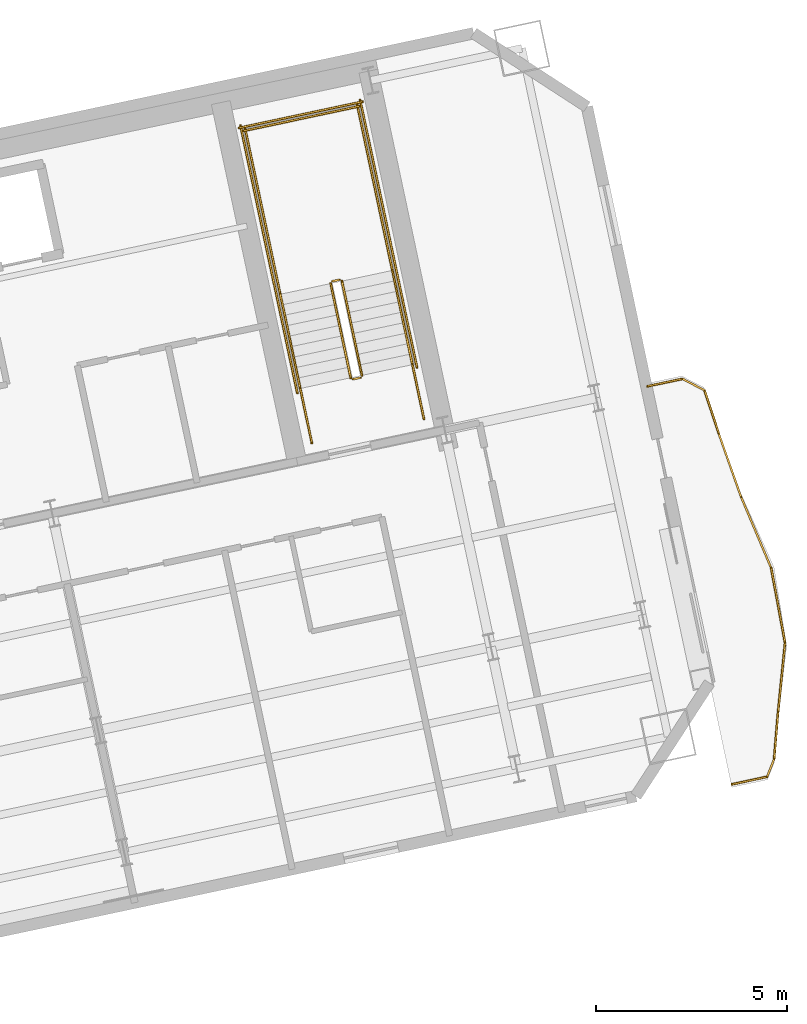
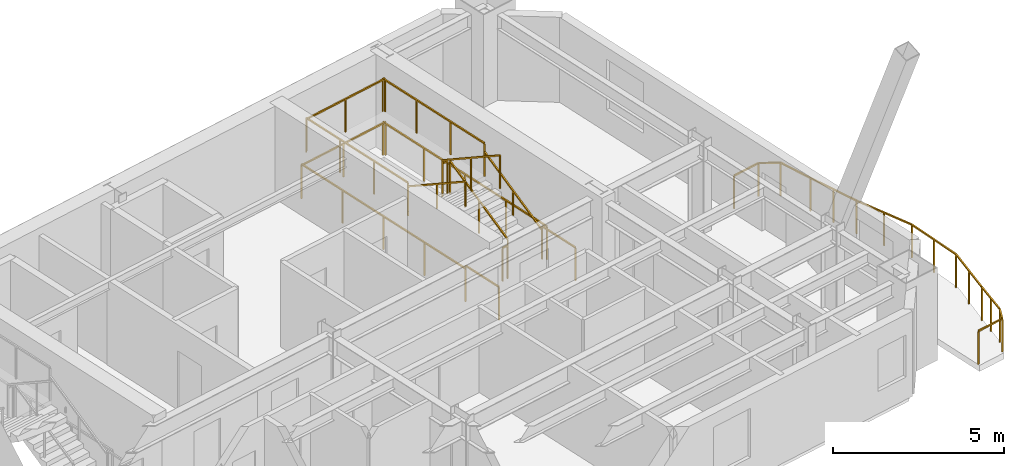
# One storey, part 13 of 13: 24 railings.
"""IFC4 building model written with IfcOpenShell, lengths in metres."""

from ifc_helpers import new_model, si_unit, direction, frame, origin, origin_2d, place, context, subcontext, project, spatial, rectangle, extrude, material, type_object, element, save


model = new_model("IFC4")

# Units and contexts
model_context = context("Model", 3, precision=1e-05, world=origin(), true_north=direction((0.0, 1.0)))
body_context = subcontext(model_context, "Body", "Model", "MODEL_VIEW")
ifc_project = project(units=[si_unit("LENGTHUNIT", "METRE"), si_unit("AREAUNIT", "SQUARE_METRE"), si_unit("VOLUMEUNIT", "CUBIC_METRE"), si_unit("PLANEANGLEUNIT", "RADIAN"), si_unit("MASSUNIT", "GRAM", prefix="KILO")], contexts=[model_context])

# Site, building, storey
site_placement = place(None, origin())
site = spatial("IfcSite", under=ifc_project, at=site_placement, CompositionType="ELEMENT")
building_placement = place(site_placement, origin())
building = spatial("IfcBuilding", under=site, at=building_placement, Name="Haevon Station Towers", CompositionType="ELEMENT")
storey_placement = place(building_placement, frame((0.0, 0.0, 165.89990234375)))
storey = spatial("IfcBuildingStorey", under=building, at=storey_placement, Name="L45", CompositionType="ELEMENT", Elevation=165.89990234375)

# Railings
ifc_material = material(Name="Steel S355", Category="steel")
railing_type_1 = type_object("IfcRailingType", Name="GRD-EXT1200", PredefinedType="GUARDRAIL", material=ifc_material)
railing_1_placement = place(storey_placement, frame((126.807861328125, 32.541259765625, 0.0)))
element("IfcRailing", 1, at=railing_1_placement, inside=storey, type_object=railing_type_1, Name="L45 Perimeter Guardrail 1", PredefinedType="GUARDRAIL", context=body_context, shape_type="SweptSolid", body=[
    extrude(rectangle(XDim=0.048095703125, YDim=0.048095703125, at=origin_2d()), frame((0.0, 0.0, 1.17578125), z_axis=(0.977684892297, 0.210076774952, 0.0), x_axis=(-0.210076774952, 0.977684892297, 0.0)), (0.0, 0.0, 1.0), 0.943603515625),
    extrude(rectangle(XDim=0.0419921875, YDim=0.0419921875, at=origin_2d()), origin(), (0.0, 0.0, 1.0), 1.15185546875),
    extrude(rectangle(XDim=0.0419921875, YDim=0.0419921875, at=origin_2d()), frame((0.922607421875, 0.1982421875, 0.0)), (0.0, 0.0, 1.0), 1.15185546875),
])
railing_2_placement = place(storey_placement, frame((127.73046875, 32.739501953125, 0.0)))
element("IfcRailing", 2, at=railing_2_placement, inside=storey, type_object=railing_type_1, Name="L45 Perimeter Guardrail 2", PredefinedType="GUARDRAIL", context=body_context, shape_type="SweptSolid", body=[
    extrude(rectangle(XDim=0.048095703125, YDim=0.048095703125, at=origin_2d()), frame((0.0, 0.0, 1.17578125), z_axis=(0.3657443694, 0.930715346522, 0.0), x_axis=(-0.930715346522, 0.3657443694, 0.0)), (0.0, 0.0, 1.0), 0.49267578125),
    extrude(rectangle(XDim=0.0419921875, YDim=0.0419921875, at=origin_2d()), origin(), (0.0, 0.0, 1.0), 1.15185546875),
    extrude(rectangle(XDim=0.0419921875, YDim=0.0419921875, at=origin_2d()), frame((0.18017578125, 0.45849609375, 0.0)), (0.0, 0.0, 1.0), 1.15185546875),
])
railing_3_placement = place(storey_placement, frame((127.91064453125, 33.197998046875, 0.0)))
element("IfcRailing", 3, at=railing_3_placement, inside=storey, type_object=railing_type_1, Name="L45 Perimeter Guardrail 3", PredefinedType="GUARDRAIL", context=body_context, shape_type="SweptSolid", body=[
    extrude(rectangle(XDim=0.048095703125, YDim=0.048095703125, at=origin_2d()), frame((0.0, 0.0, 1.17578125), z_axis=(0.084251569955, 0.996444515746, 0.0), x_axis=(-0.996444515746, 0.084251569955, 0.0)), (0.0, 0.0, 1.0), 1.222900390625),
    extrude(rectangle(XDim=0.0419921875, YDim=0.0419921875, at=origin_2d()), origin(), (0.0, 0.0, 1.0), 1.15185546875),
    extrude(rectangle(XDim=0.0419921875, YDim=0.0419921875, at=origin_2d()), frame((0.051513671875, 0.609375, 0.0)), (0.0, 0.0, 1.0), 1.15185546875),
    extrude(rectangle(XDim=0.0419921875, YDim=0.0419921875, at=origin_2d()), frame((0.10302734375, 1.218505859375, 0.0)), (0.0, 0.0, 1.0), 1.15185546875),
])
railing_4_placement = place(storey_placement, frame((128.013671875, 34.41650390625, 0.0)))
element("IfcRailing", 4, at=railing_4_placement, inside=storey, type_object=railing_type_1, Name="L45 Perimeter Guardrail 4", PredefinedType="GUARDRAIL", context=body_context, shape_type="SweptSolid", body=[
    extrude(rectangle(XDim=0.048095703125, YDim=0.048095703125, at=origin_2d()), frame((0.0, 0.0, 1.17578125), z_axis=(0.100440099448, 0.994943107129, 0.0), x_axis=(-0.994943107129, 0.100440099448, 0.0)), (0.0, 0.0, 1.0), 1.832763671875),
    extrude(rectangle(XDim=0.0419921875, YDim=0.0419921875, at=origin_2d()), origin(), (0.0, 0.0, 1.0), 1.15185546875),
    extrude(rectangle(XDim=0.0419921875, YDim=0.0419921875, at=origin_2d()), frame((0.092041015625, 0.91162109375, 0.0)), (0.0, 0.0, 1.0), 1.15185546875),
    extrude(rectangle(XDim=0.0419921875, YDim=0.0419921875, at=origin_2d()), frame((0.18408203125, 1.823486328125, 0.0)), (0.0, 0.0, 1.0), 1.15185546875),
])
railing_5_placement = place(storey_placement, frame((128.19775390625, 36.239990234375, 0.0)))
element("IfcRailing", 5, at=railing_5_placement, inside=storey, type_object=railing_type_1, Name="L45 Perimeter Guardrail 5", PredefinedType="GUARDRAIL", context=body_context, shape_type="SweptSolid", body=[
    extrude(rectangle(XDim=0.048095703125, YDim=0.048095703125, at=origin_2d()), frame((0.0, 0.0, 1.17578125), z_axis=(-0.182084875325, 0.983282816985, 0.0), x_axis=(-0.983282816985, -0.182084875325, 0.0)), (0.0, 0.0, 1.0), 1.993896484375),
    extrude(rectangle(XDim=0.0419921875, YDim=0.0419921875, at=origin_2d()), origin(), (0.0, 0.0, 1.0), 1.15185546875),
    extrude(rectangle(XDim=0.0419921875, YDim=0.0419921875, at=origin_2d()), frame((-0.181640625, 0.980224609375, 0.0)), (0.0, 0.0, 1.0), 1.15185546875),
    extrude(rectangle(XDim=0.0419921875, YDim=0.0419921875, at=origin_2d()), frame((-0.363037109375, 1.96044921875, 0.0)), (0.0, 0.0, 1.0), 1.15185546875),
])
railing_6_placement = place(storey_placement, frame((127.834716796875, 38.200439453125, 0.0)))
element("IfcRailing", 6, at=railing_6_placement, inside=storey, type_object=railing_type_1, Name="L45 Perimeter Guardrail 6", PredefinedType="GUARDRAIL", context=body_context, shape_type="SweptSolid", body=[
    extrude(rectangle(XDim=0.048095703125, YDim=0.048095703125, at=origin_2d()), frame((0.0, 0.0, 1.17578125), z_axis=(-0.389683229783, 0.920948956472, 0.0), x_axis=(-0.920948956472, -0.389683229783, 0.0)), (0.0, 0.0, 1.0), 2.026123046875),
    extrude(rectangle(XDim=0.0419921875, YDim=0.0419921875, at=origin_2d()), origin(), (0.0, 0.0, 1.0), 1.15185546875),
    extrude(rectangle(XDim=0.0419921875, YDim=0.0419921875, at=origin_2d()), frame((-0.394775390625, 0.93310546875, 0.0)), (0.0, 0.0, 1.0), 1.15185546875),
    extrude(rectangle(XDim=0.0419921875, YDim=0.0419921875, at=origin_2d()), frame((-0.78955078125, 1.865966796875, 0.0)), (0.0, 0.0, 1.0), 1.15185546875),
])
railing_7_placement = place(storey_placement, frame((127.045166015625, 40.06640625, 0.0)))
element("IfcRailing", 7, at=railing_7_placement, inside=storey, type_object=railing_type_1, Name="L45 Perimeter Guardrail 7", PredefinedType="GUARDRAIL", context=body_context, shape_type="SweptSolid", body=[
    extrude(rectangle(XDim=0.048095703125, YDim=0.048095703125, at=origin_2d()), frame((0.0, 0.0, 1.17578125), z_axis=(-0.332291601208, 0.943176702303, 0.0), x_axis=(-0.943176702303, -0.332291601208, 0.0)), (0.0, 0.0, 1.0), 1.76416015625),
    extrude(rectangle(XDim=0.0419921875, YDim=0.0419921875, at=origin_2d()), origin(), (0.0, 0.0, 1.0), 1.15185546875),
    extrude(rectangle(XDim=0.0419921875, YDim=0.0419921875, at=origin_2d()), frame((-0.29296875, 0.83203125, 0.0)), (0.0, 0.0, 1.0), 1.15185546875),
    extrude(rectangle(XDim=0.0419921875, YDim=0.0419921875, at=origin_2d()), frame((-0.586181640625, 1.663818359375, 0.0)), (0.0, 0.0, 1.0), 1.15185546875),
])
railing_8_placement = place(storey_placement, frame((126.458984375, 41.730224609375, 0.0)))
element("IfcRailing", 8, at=railing_8_placement, inside=storey, type_object=railing_type_1, Name="L45 Perimeter Guardrail 8", PredefinedType="GUARDRAIL", context=body_context, shape_type="SweptSolid", body=[
    extrude(rectangle(XDim=0.048095703125, YDim=0.048095703125, at=origin_2d()), frame((0.0, 0.0, 1.17578125), z_axis=(-0.312492822926, 0.949920120652, 0.0), x_axis=(-0.949920120652, -0.312492822926, 0.0)), (0.0, 0.0, 1.0), 1.177490234375),
    extrude(rectangle(XDim=0.0419921875, YDim=0.0419921875, at=origin_2d()), origin(), (0.0, 0.0, 1.0), 1.15185546875),
    extrude(rectangle(XDim=0.0419921875, YDim=0.0419921875, at=origin_2d()), frame((-0.367919921875, 1.118408203125, 0.0)), (0.0, 0.0, 1.0), 1.15185546875),
])
railing_9_placement = place(storey_placement, frame((126.091064453125, 42.8486328125, 0.0)))
element("IfcRailing", 9, at=railing_9_placement, inside=storey, type_object=railing_type_1, Name="L45 Perimeter Guardrail 9", PredefinedType="GUARDRAIL", context=body_context, shape_type="SweptSolid", body=[
    extrude(rectangle(XDim=0.048095703125, YDim=0.048095703125, at=origin_2d()), frame((0.0, 0.0, 1.17578125), z_axis=(-0.886739807276, 0.462268876513, 0.0), x_axis=(-0.462268876513, -0.886739807276, 0.0)), (0.0, 0.0, 1.0), 0.64599609375),
    extrude(rectangle(XDim=0.0419921875, YDim=0.0419921875, at=origin_2d()), origin(), (0.0, 0.0, 1.0), 1.15185546875),
    extrude(rectangle(XDim=0.0419921875, YDim=0.0419921875, at=origin_2d()), frame((-0.57275390625, 0.298583984375, 0.0)), (0.0, 0.0, 1.0), 1.15185546875),
])
railing_10_placement = place(storey_placement, frame((125.518310546875, 43.147216796875, 0.0)))
element("IfcRailing", 10, at=railing_10_placement, inside=storey, type_object=railing_type_1, Name="L45 Perimeter Guardrail 10", PredefinedType="GUARDRAIL", context=body_context, shape_type="SweptSolid", body=[
    extrude(rectangle(XDim=0.048095703125, YDim=0.048095703125, at=origin_2d()), frame((0.0, 0.0, 1.17578125), z_axis=(-0.978571736022, -0.205906186062, 0.0), x_axis=(0.205906186062, -0.978571736022, 0.0)), (0.0, 0.0, 1.0), 0.94384765625),
    extrude(rectangle(XDim=0.0419921875, YDim=0.0419921875, at=origin_2d()), origin(), (0.0, 0.0, 1.0), 1.15185546875),
    extrude(rectangle(XDim=0.0419921875, YDim=0.0419921875, at=origin_2d()), frame((-0.923583984375, -0.1943359375, 0.0)), (0.0, 0.0, 1.0), 1.15185546875),
])
railing_type_2 = type_object("IfcRailingType", Name="GRD-STR1200", PredefinedType="GUARDRAIL", material=ifc_material)
railing_11_placement = place(storey_placement, frame((117.128662109375, 43.23974609375, 0.1650390625)))
element("IfcRailing", 11, at=railing_11_placement, inside=storey, type_object=railing_type_2, Name="L45 ST4 Stair Guard 1", PredefinedType="GUARDRAIL", context=body_context, shape_type="SweptSolid", body=[
    extrude(rectangle(XDim=0.048095703125, YDim=0.048095703125, at=origin_2d()), frame((0.0, 0.0, 1.17578125), z_axis=(-0.179121265225, 0.842687928106, 0.507732831485), x_axis=(-0.978147030254, -0.207914374695, 0.0)), (0.0, 0.0, 1.0), 2.925048828125),
    extrude(rectangle(XDim=0.0419921875, YDim=0.0419921875, at=origin_2d()), origin(), (0.0, 0.0, 1.0), 1.15185546875),
    extrude(rectangle(XDim=0.0419921875, YDim=0.0419921875, at=origin_2d()), frame((-0.261962890625, 1.232421875, 0.74267578125)), (0.0, 0.0, 1.0), 1.15185546875),
    extrude(rectangle(XDim=0.0419921875, YDim=0.0419921875, at=origin_2d()), frame((-0.52392578125, 2.46484375, 1.485107421875)), (0.0, 0.0, 1.0), 1.15185546875),
])
railing_12_placement = place(storey_placement, frame((116.54541015625, 45.7431640625, 1.650146484375)))
element("IfcRailing", 12, at=railing_12_placement, inside=storey, type_object=railing_type_2, Name="L45 ST4 Stair Guard 2", PredefinedType="GUARDRAIL", context=body_context, shape_type="SweptSolid", body=[
    extrude(rectangle(XDim=0.048095703125, YDim=0.048095703125, at=origin_2d()), frame((0.0, 0.0, 1.17578125), z_axis=(-0.97826412705, -0.207362720198, 0.0), x_axis=(0.207362720198, -0.97826412705, 0.0)), (0.0, 0.0, 1.0), 0.2001953125),
    extrude(rectangle(XDim=0.0419921875, YDim=0.0419921875, at=origin_2d()), origin(), (0.0, 0.0, 1.0), 1.15185546875),
    extrude(rectangle(XDim=0.0419921875, YDim=0.0419921875, at=origin_2d()), frame((-0.19580078125, -0.04150390625, 0.0)), (0.0, 0.0, 1.0), 1.15185546875),
])
railing_13_placement = place(storey_placement, frame((117.925048828125, 45.9853515625, 1.650146484375)))
element("IfcRailing", 13, at=railing_13_placement, inside=storey, type_object=railing_type_2, Name="L45 ST4 Stair Guard 3", PredefinedType="GUARDRAIL", context=body_context, shape_type="SweptSolid", body=[
    extrude(rectangle(XDim=0.048095703125, YDim=0.048095703125, at=origin_2d()), frame((0.0, 0.0, 1.17578125), z_axis=(-0.207876551949, 0.978155069071, 0.0), x_axis=(-0.978155069071, -0.207876551949, 0.0)), (0.0, 0.0, 1.0), 4.429931640625),
    extrude(rectangle(XDim=0.0419921875, YDim=0.0419921875, at=origin_2d()), origin(), (0.0, 0.0, 1.0), 1.15185546875),
    extrude(rectangle(XDim=0.0419921875, YDim=0.0419921875, at=origin_2d()), frame((-0.306884765625, 1.4443359375, 0.0)), (0.0, 0.0, 1.0), 1.15185546875),
    extrude(rectangle(XDim=0.0419921875, YDim=0.0419921875, at=origin_2d()), frame((-0.614013671875, 2.888916015625, 0.0)), (0.0, 0.0, 1.0), 1.15185546875),
    extrude(rectangle(XDim=0.0419921875, YDim=0.0419921875, at=origin_2d()), frame((-0.9208984375, 4.333251953125, 0.0)), (0.0, 0.0, 1.0), 1.15185546875),
])
railing_14_placement = place(storey_placement, frame((114.99072265625, 45.361572265625, 1.650146484375)))
element("IfcRailing", 14, at=railing_14_placement, inside=storey, type_object=railing_type_2, Name="L45 ST4 Stair Guard 4", PredefinedType="GUARDRAIL", context=body_context, shape_type="SweptSolid", body=[
    extrude(rectangle(XDim=0.048095703125, YDim=0.048095703125, at=origin_2d()), frame((0.0, 0.0, 1.17578125), z_axis=(-0.207929280007, 0.978143861871, 0.0), x_axis=(-0.978143861871, -0.207929280007, 0.0)), (0.0, 0.0, 1.0), 4.43017578125),
    extrude(rectangle(XDim=0.0419921875, YDim=0.0419921875, at=origin_2d()), origin(), (0.0, 0.0, 1.0), 1.15185546875),
    extrude(rectangle(XDim=0.0419921875, YDim=0.0419921875, at=origin_2d()), frame((-0.30712890625, 1.4443359375, 0.0)), (0.0, 0.0, 1.0), 1.15185546875),
    extrude(rectangle(XDim=0.0419921875, YDim=0.0419921875, at=origin_2d()), frame((-0.614013671875, 2.888916015625, 0.0)), (0.0, 0.0, 1.0), 1.15185546875),
    extrude(rectangle(XDim=0.0419921875, YDim=0.0419921875, at=origin_2d()), frame((-0.921142578125, 4.333251953125, 0.0)), (0.0, 0.0, 1.0), 1.15185546875),
])
railing_15_placement = place(storey_placement, frame((117.0634765625, 50.280029296875, 1.650146484375)))
element("IfcRailing", 15, at=railing_15_placement, inside=storey, type_object=railing_type_2, Name="L45 ST4 Stair Guard 5", PredefinedType="GUARDRAIL", context=body_context, shape_type="SweptSolid", body=[
    extrude(rectangle(XDim=0.048095703125, YDim=0.048095703125, at=origin_2d()), frame((0.0, 0.0, 1.17578125), z_axis=(-0.978146839882, -0.207915270313, 0.0), x_axis=(0.207915270313, -0.978146839882, 0.0)), (0.0, 0.0, 1.0), 3.099853515625),
    extrude(rectangle(XDim=0.0419921875, YDim=0.0419921875, at=origin_2d()), origin(), (0.0, 0.0, 1.0), 1.15185546875),
    extrude(rectangle(XDim=0.0419921875, YDim=0.0419921875, at=origin_2d()), frame((-1.51611328125, -0.322265625, 0.0)), (0.0, 0.0, 1.0), 1.15185546875),
    extrude(rectangle(XDim=0.0419921875, YDim=0.0419921875, at=origin_2d()), frame((-3.0322265625, -0.64453125, 0.0)), (0.0, 0.0, 1.0), 1.15185546875),
])
railing_16_placement = place(storey_placement, frame((116.311279296875, 45.642333984375, 1.815185546875)))
element("IfcRailing", 16, at=railing_16_placement, inside=storey, type_object=railing_type_2, Name="L45 ST4 Stair Guard 6", PredefinedType="GUARDRAIL", context=body_context, shape_type="SweptSolid", body=[
    extrude(rectangle(XDim=0.048095703125, YDim=0.048095703125, at=origin_2d()), frame((0.0, 0.0, 1.17578125), z_axis=(0.179116256339, -0.842747828638, 0.507635168246), x_axis=(0.978151217824, 0.207894673017, 0.0)), (0.0, 0.0, 1.0), 2.925048828125),
    extrude(rectangle(XDim=0.0419921875, YDim=0.0419921875, at=origin_2d()), origin(), (0.0, 0.0, 1.0), 1.15185546875),
    extrude(rectangle(XDim=0.0419921875, YDim=0.0419921875, at=origin_2d()), frame((0.261962890625, -1.232421875, 0.742431640625)), (0.0, 0.0, 1.0), 1.15185546875),
    extrude(rectangle(XDim=0.0419921875, YDim=0.0419921875, at=origin_2d()), frame((0.52392578125, -2.465087890625, 1.48486328125)), (0.0, 0.0, 1.0), 1.15185546875),
])
railing_17_placement = place(storey_placement, frame((117.090087890625, 43.180419921875, 0.0)))
element("IfcRailing", 17, at=railing_17_placement, inside=storey, type_object=railing_type_2, Name="L45 ST4 Stair Guard 7", PredefinedType="GUARDRAIL", context=body_context, shape_type="SweptSolid", body=[
    extrude(rectangle(XDim=0.048095703125, YDim=0.048095703125, at=origin_2d()), frame((0.0, 0.0, 1.17578125), z_axis=(-0.978211583308, -0.207610448392, 0.0), x_axis=(0.207610448392, -0.978211583308, 0.0)), (0.0, 0.0, 1.0), 0.199951171875),
    extrude(rectangle(XDim=0.0419921875, YDim=0.0419921875, at=origin_2d()), origin(), (0.0, 0.0, 1.0), 1.15185546875),
    extrude(rectangle(XDim=0.0419921875, YDim=0.0419921875, at=origin_2d()), frame((-0.195556640625, -0.04150390625, 0.0)), (0.0, 0.0, 1.0), 1.15185546875),
])
for number, where, name in (
    (18, (118.75048828125, 42.10205078125, 0.0), "L45 ST4 Stair Guard 8"),
    (19, (115.816162109375, 41.478271484375, 0.0), "L45 ST4 Stair Guard 9"),
):
    element("IfcRailing", number, at=place(storey_placement, frame(where)), inside=storey, type_object=railing_type_2, Name=name, PredefinedType="GUARDRAIL", context=body_context, shape_type="SweptSolid", body=[
        extrude(rectangle(XDim=0.048095703125, YDim=0.048095703125, at=origin_2d()), frame((0.0, 0.0, 1.17578125), z_axis=(-0.207919161079, 0.978146012851, 0.0), x_axis=(-0.978146012851, -0.207919161079, 0.0)), (0.0, 0.0, 1.0), 1.4501953125),
        extrude(rectangle(XDim=0.0419921875, YDim=0.0419921875, at=origin_2d()), origin(), (0.0, 0.0, 1.0), 1.15185546875),
        extrude(rectangle(XDim=0.0419921875, YDim=0.0419921875, at=origin_2d()), frame((-0.301513671875, 1.41845703125, 0.0)), (0.0, 0.0, 1.0), 1.15185546875),
    ])
railing_18_placement = place(storey_placement, frame((118.567626953125, 43.443359375, 0.0)))
element("IfcRailing", 20, at=railing_18_placement, inside=storey, type_object=railing_type_2, Name="L45 ST4 Stair Guard 10", PredefinedType="GUARDRAIL", context=body_context, shape_type="SweptSolid", body=[
    extrude(rectangle(XDim=0.048095703125, YDim=0.048095703125, at=origin_2d()), frame((0.0, 0.0, 1.17578125), z_axis=(-0.207908168386, 0.978148349443, 0.0), x_axis=(-0.978148349443, -0.207908168386, 0.0)), (0.0, 0.0, 1.0), 7.150146484375),
    extrude(rectangle(XDim=0.0419921875, YDim=0.0419921875, at=origin_2d()), origin(), (0.0, 0.0, 1.0), 1.15185546875),
    extrude(rectangle(XDim=0.0419921875, YDim=0.0419921875, at=origin_2d()), frame((-0.37158203125, 1.74853515625, 0.0)), (0.0, 0.0, 1.0), 1.15185546875),
    extrude(rectangle(XDim=0.0419921875, YDim=0.0419921875, at=origin_2d()), frame((-0.7431640625, 3.4970703125, 0.0)), (0.0, 0.0, 1.0), 1.15185546875),
    extrude(rectangle(XDim=0.0419921875, YDim=0.0419921875, at=origin_2d()), frame((-1.114990234375, 5.245361328125, 0.0)), (0.0, 0.0, 1.0), 1.15185546875),
    extrude(rectangle(XDim=0.0419921875, YDim=0.0419921875, at=origin_2d()), frame((-1.486572265625, 6.993896484375, 0.0)), (0.0, 0.0, 1.0), 1.15185546875),
])
railing_19_placement = place(storey_placement, frame((115.4375, 42.778076171875, 0.0)))
element("IfcRailing", 21, at=railing_19_placement, inside=storey, type_object=railing_type_2, Name="L45 ST4 Stair Guard 11", PredefinedType="GUARDRAIL", context=body_context, shape_type="SweptSolid", body=[
    extrude(rectangle(XDim=0.048095703125, YDim=0.048095703125, at=origin_2d()), frame((0.0, 0.0, 1.17578125), z_axis=(-0.207882442208, 0.978153817261, 0.0), x_axis=(-0.978153817261, -0.207882442208, 0.0)), (0.0, 0.0, 1.0), 7.14990234375),
    extrude(rectangle(XDim=0.0419921875, YDim=0.0419921875, at=origin_2d()), origin(), (0.0, 0.0, 1.0), 1.15185546875),
    extrude(rectangle(XDim=0.0419921875, YDim=0.0419921875, at=origin_2d()), frame((-0.37158203125, 1.74853515625, 0.0)), (0.0, 0.0, 1.0), 1.15185546875),
    extrude(rectangle(XDim=0.0419921875, YDim=0.0419921875, at=origin_2d()), frame((-0.7431640625, 3.496826171875, 0.0)), (0.0, 0.0, 1.0), 1.15185546875),
    extrude(rectangle(XDim=0.0419921875, YDim=0.0419921875, at=origin_2d()), frame((-1.11474609375, 5.2451171875, 0.0)), (0.0, 0.0, 1.0), 1.15185546875),
    extrude(rectangle(XDim=0.0419921875, YDim=0.0419921875, at=origin_2d()), frame((-1.486328125, 6.99365234375, 0.0)), (0.0, 0.0, 1.0), 1.15185546875),
])
railing_20_placement = place(storey_placement, frame((117.140380859375, 50.398681640625, 0.0)))
element("IfcRailing", 22, at=railing_20_placement, inside=storey, type_object=railing_type_2, Name="L45 ST4 Stair Guard 12", PredefinedType="GUARDRAIL", context=body_context, shape_type="SweptSolid", body=[
    extrude(rectangle(XDim=0.048095703125, YDim=0.048095703125, at=origin_2d()), frame((0.0, 0.0, 1.17578125), z_axis=(-0.978135717418, -0.207967589567, 0.0), x_axis=(0.207967589567, -0.978135717418, 0.0)), (0.0, 0.0, 1.0), 3.300048828125),
    extrude(rectangle(XDim=0.0419921875, YDim=0.0419921875, at=origin_2d()), origin(), (0.0, 0.0, 1.0), 1.15185546875),
    extrude(rectangle(XDim=0.0419921875, YDim=0.0419921875, at=origin_2d()), frame((-1.61376953125, -0.34326171875, 0.0)), (0.0, 0.0, 1.0), 1.15185546875),
    extrude(rectangle(XDim=0.0419921875, YDim=0.0419921875, at=origin_2d()), frame((-3.227783203125, -0.686279296875, 0.0)), (0.0, 0.0, 1.0), 1.15185546875),
])
railing_type_3 = type_object("IfcRailingType", Name="HND-STR900", PredefinedType="HANDRAIL", material=ifc_material)
railing_21_placement = place(storey_placement, frame((118.448974609375, 43.5205078125, 0.1650390625)))
element("IfcRailing", 23, at=railing_21_placement, inside=storey, type_object=railing_type_3, Name="L45 ST4 Stair Handrail 1", PredefinedType="HANDRAIL", context=body_context, shape_type="SweptSolid", body=[
    extrude(rectangle(XDim=0.048095703125, YDim=0.048095703125, at=origin_2d()), frame((0.0, 0.0, 0.8759765625), z_axis=(-0.179121265225, 0.842687928106, 0.507732831485), x_axis=(-0.978147030254, -0.207914374695, 0.0)), (0.0, 0.0, 1.0), 2.925048828125),
    extrude(rectangle(XDim=0.0419921875, YDim=0.0419921875, at=origin_2d()), origin(), (0.0, 0.0, 1.0), 0.851806640625),
    extrude(rectangle(XDim=0.0419921875, YDim=0.0419921875, at=origin_2d()), frame((-0.261962890625, 1.232421875, 0.74267578125)), (0.0, 0.0, 1.0), 0.851806640625),
    extrude(rectangle(XDim=0.0419921875, YDim=0.0419921875, at=origin_2d()), frame((-0.52392578125, 2.46484375, 1.485107421875)), (0.0, 0.0, 1.0), 0.851806640625),
])
railing_22_placement = place(storey_placement, frame((114.99072265625, 45.361572265625, 1.815185546875)))
element("IfcRailing", 24, at=railing_22_placement, inside=storey, type_object=railing_type_3, Name="L45 ST4 Stair Handrail 2", PredefinedType="HANDRAIL", context=body_context, shape_type="SweptSolid", body=[
    extrude(rectangle(XDim=0.048095703125, YDim=0.048095703125, at=origin_2d()), frame((0.0, 0.0, 0.8759765625), z_axis=(0.179128856099, -0.842723639875, 0.507670877349), x_axis=(0.978147030254, 0.207914374695, 0.0)), (0.0, 0.0, 1.0), 2.9248046875),
    extrude(rectangle(XDim=0.0419921875, YDim=0.0419921875, at=origin_2d()), origin(), (0.0, 0.0, 1.0), 0.851806640625),
    extrude(rectangle(XDim=0.0419921875, YDim=0.0419921875, at=origin_2d()), frame((0.261962890625, -1.232421875, 0.742431640625)), (0.0, 0.0, 1.0), 0.851806640625),
    extrude(rectangle(XDim=0.0419921875, YDim=0.0419921875, at=origin_2d()), frame((0.52392578125, -2.46484375, 1.48486328125)), (0.0, 0.0, 1.0), 0.851806640625),
])

save(model, "model.ifc")
